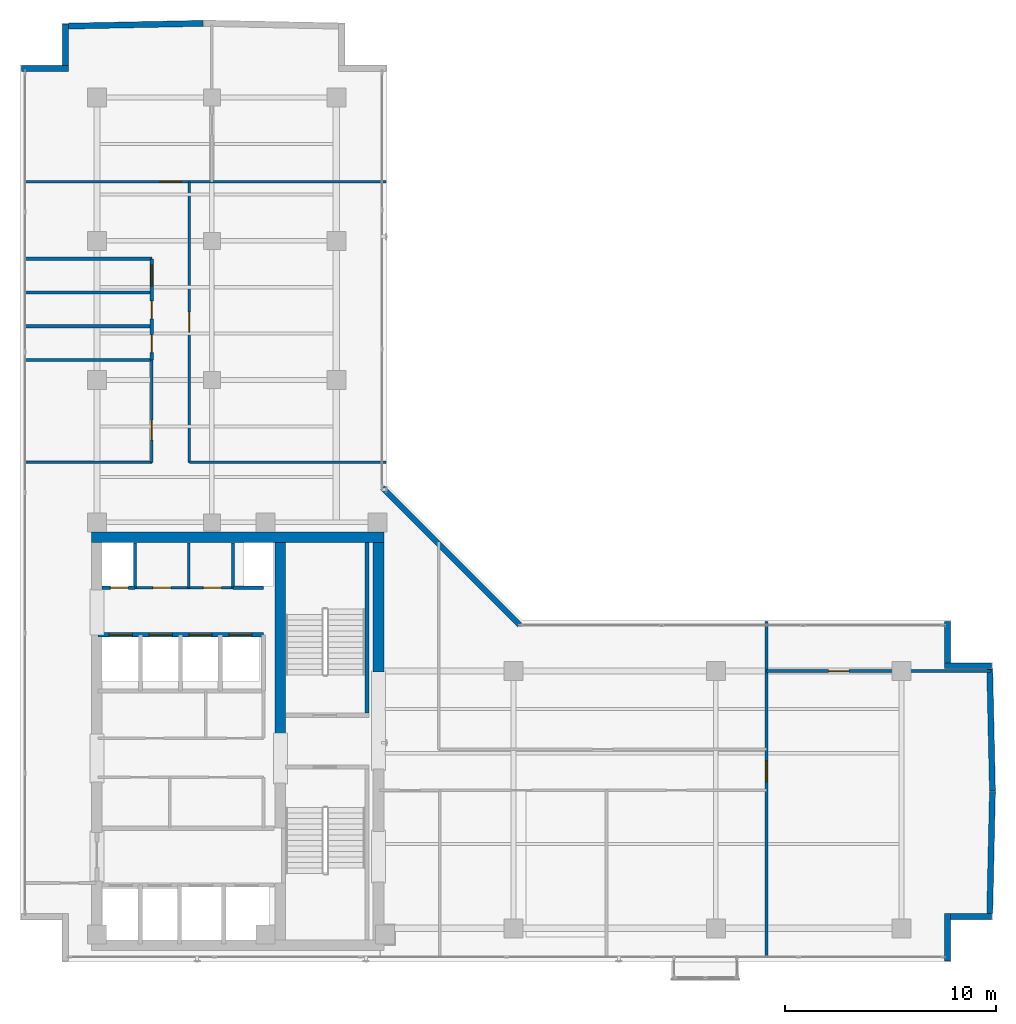
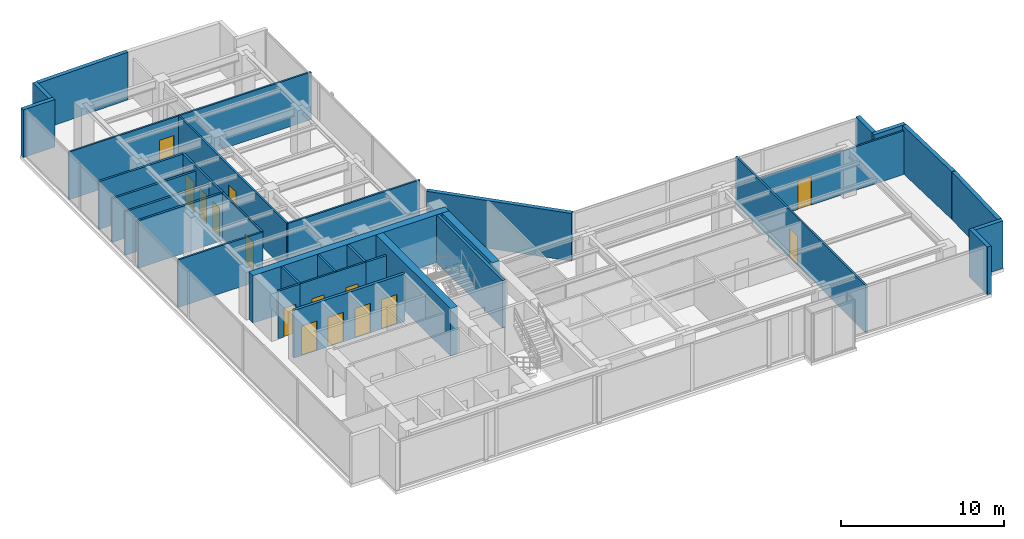
# One storey, part 18 of 24: 33 walls, 15 doors, 15 openings.
"""IFC4 building model written with IfcOpenShell, lengths in metres."""

import ifcopenshell
import ifcopenshell.guid

model = None  # the IFC model being written
_history = None  # IfcOwnerHistory: only IFC2X3 demands one
_inside = {}  # id of a spatial element -> (the spatial element, [elements in it])
_under = {}  # id of a project, library or spatial element -> (it, [spatial elements below it])
_declared = {}  # id of a project -> (the project, [libraries it declares])
_typed = {}  # id of a type object -> (the type object, [elements of that type])
_made_of = {}  # id of a material, layer set ... -> (it, [elements and type objects made of it])


def new_model(schema):
    """Start an empty IFC model of exactly this schema.

    Asked for "IFC4X3", IfcOpenShell would pick the latest addendum, in which some entities
    have other attributes; the version numbers below select the first issue.
    IFC2X3 requires an IfcOwnerHistory on every rooted entity: one is made here for all.
    """
    global model, _history
    if schema == "IFC4X3":
        model = ifcopenshell.file(schema_version=(4, 3, 0, 0))
    else:
        model = ifcopenshell.file(schema=schema)
    _inside.clear()
    _under.clear()
    _declared.clear()
    _typed.clear()
    _made_of.clear()
    _history = None
    if model.schema == "IFC2X3":
        org = make("IfcOrganization", Name="unknown")
        user = make(
            "IfcPersonAndOrganization",
            ThePerson=make("IfcPerson", FamilyName="unknown"),
            TheOrganization=org,
        )
        app = make(
            "IfcApplication",
            ApplicationDeveloper=org,
            Version="unknown",
            ApplicationFullName="unknown",
            ApplicationIdentifier="unknown",
        )
        _history = make(
            "IfcOwnerHistory",
            OwningUser=user,
            OwningApplication=app,
            ChangeAction="ADDED",
            CreationDate=0,
        )
    return model


def make(cls, **values):
    """One entity of the class cls with the attributes given. An attribute that is None is left unset."""
    return model.create_entity(
        cls, **{name: value for name, value in values.items() if value is not None}
    )


def rooted(cls, **values):
    """An entity with a GlobalId (a new one), such as an element, a storey or a relation."""
    return make(cls, GlobalId=ifcopenshell.guid.new(), OwnerHistory=_history, **values)


def si_unit(unit_type, name, prefix=None):
    """IfcSIUnit, for example si_unit("LENGTHUNIT", "METRE", prefix="MILLI")."""
    return make("IfcSIUnit", UnitType=unit_type, Prefix=prefix, Name=name)


def assignment(units):
    """IfcUnitAssignment: the units of a project."""
    return None if units is None else make("IfcUnitAssignment", Units=units)


def point(xyz):
    """IfcCartesianPoint."""
    return None if xyz is None else make("IfcCartesianPoint", Coordinates=xyz)


def direction(xyz):
    """IfcDirection."""
    return None if xyz is None else make("IfcDirection", DirectionRatios=xyz)


def frame(location, z_axis=None, x_axis=None):
    """IfcAxis2Placement3D, a coordinate frame: its origin and axes. An axis left out is left unset."""
    return make(
        "IfcAxis2Placement3D",
        Location=point(location),
        Axis=direction(z_axis),
        RefDirection=direction(x_axis),
    )


def frame_2d(location, x_axis=None):
    """IfcAxis2Placement2D, a coordinate frame in the plane: its origin and x axis."""
    return make(
        "IfcAxis2Placement2D", Location=point(location), RefDirection=direction(x_axis)
    )


def origin():
    """The frame at (0, 0, 0) with its axes left unset."""
    return frame((0.0, 0.0, 0.0))


def place(relative_to, where):
    """IfcLocalPlacement: puts the frame where relative to a parent placement (None: the world)."""
    return make(
        "IfcLocalPlacement", PlacementRelTo=relative_to, RelativePlacement=where
    )


def context(
    kind, dimensions, precision=None, world=None, true_north=None, identifier=None
):
    """IfcGeometricRepresentationContext, for example the 3D "Model" context."""
    return make(
        "IfcGeometricRepresentationContext",
        ContextIdentifier=identifier,
        ContextType=kind,
        CoordinateSpaceDimension=dimensions,
        Precision=precision,
        WorldCoordinateSystem=world,
        TrueNorth=true_north,
    )


def subcontext(parent, identifier, kind, view, scale=None):
    """IfcGeometricRepresentationSubContext, for example "Body" below "Model"."""
    return make(
        "IfcGeometricRepresentationSubContext",
        ContextIdentifier=identifier,
        ContextType=kind,
        ParentContext=parent,
        TargetScale=scale,
        TargetView=view,
    )


def project(units=None, contexts=None):
    """IfcProject with its units and contexts."""
    return rooted(
        "IfcProject",
        Name="project",
        RepresentationContexts=contexts,
        UnitsInContext=assignment(units),
    )


def spatial(cls, under=None, at=None, **own):
    """A site, building, storey or space (cls), placed at a placement, below another one or the project."""
    s = rooted(cls, ObjectPlacement=at, **own)
    if under is not None:
        _under.setdefault(under.id(), (under, []))[1].append(s)
    return s


def profile(cls, at=None, kind="AREA", **sizes):
    """A parametric profile (cls). Its sizes go by their IFC names, for example OverallWidth=200.0."""
    return make(cls, ProfileType=kind, Position=at, **sizes)


def rectangle(**sizes):
    """IfcRectangleProfileDef."""
    return profile("IfcRectangleProfileDef", **sizes)


def extrude(swept, where, along, depth):
    """IfcExtrudedAreaSolid: the profile swept, set in the frame where, extruded along a direction by depth."""
    return make(
        "IfcExtrudedAreaSolid",
        SweptArea=swept,
        Position=where,
        ExtrudedDirection=direction(along),
        Depth=depth,
    )


def shape(context_of_items, identifier, shape_type, items):
    """IfcShapeRepresentation: the items that make up one representation, for example the "Body"."""
    return make(
        "IfcShapeRepresentation",
        ContextOfItems=context_of_items,
        RepresentationIdentifier=identifier,
        RepresentationType=shape_type,
        Items=items,
    )


def material(Name=None, Category=None):
    """IfcMaterial."""
    return make("IfcMaterial", Name=Name, Category=Category)


def layer(
    of_material, thickness, ventilated=None, Name=None, Category=None, Priority=None
):
    """IfcMaterialLayer: one layer of a wall or slab, of a material (None: an air gap)."""
    return make(
        "IfcMaterialLayer",
        Material=of_material,
        LayerThickness=thickness,
        IsVentilated=ventilated,
        Name=Name,
        Category=Category,
        Priority=Priority,
    )


def layer_set(layers, Name=None):
    """IfcMaterialLayerSet."""
    return make("IfcMaterialLayerSet", MaterialLayers=layers, LayerSetName=Name)


def made_of(thing, what):
    """Note that an element or type object is made of a material, layer set ...; save() writes the relation."""
    if what is not None:
        _made_of.setdefault(what.id(), (what, []))[1].append(thing)
    return thing


def type_object(cls, material=None, **own):
    """A type object (cls), such as IfcWallType, which elements share."""
    return made_of(rooted(cls, **own), material)


def element(
    cls,
    number,
    at=None,
    inside=None,
    cuts=None,
    type_object=None,
    material=None,
    context=None,
    identifier="Body",
    shape_type=None,
    held_by="IfcProductDefinitionShape",
    body=None,
    shapes=None,
    **own,
):
    """One element of the class cls, such as IfcWall. Its Tag is "e" and its number.

    at: its placement. inside: the storey or other place that contains it. cuts: it is an
    opening in that element (IfcRelVoidsElement). A single representation is given by context,
    identifier, shape_type and body (its items); several are given by shapes. held_by: the class
    of the entity that holds the representations. save() writes the other relations.
    """
    e = rooted(cls, Tag="e%d" % number, ObjectPlacement=at, **own)
    if body is not None:
        shapes = [shape(context, identifier, shape_type, body)]
    if shapes is not None:
        e.Representation = make(held_by, Representations=shapes)
    if inside is not None:
        _inside.setdefault(inside.id(), (inside, []))[1].append(e)
    if cuts is not None:
        rooted(
            "IfcRelVoidsElement", RelatingBuildingElement=cuts, RelatedOpeningElement=e
        )
    if type_object is not None:
        _typed.setdefault(type_object.id(), (type_object, []))[1].append(e)
    return made_of(e, material)


def fill(opening, filler):
    """IfcRelFillsElement: the door or window that sits in an opening."""
    return rooted(
        "IfcRelFillsElement",
        RelatingOpeningElement=opening,
        RelatedBuildingElement=filler,
    )


def aggregate(whole, parts):
    """IfcRelAggregates: a whole, such as a stair, and the parts it consists of."""
    return rooted("IfcRelAggregates", RelatingObject=whole, RelatedObjects=parts)


def save(model, path):
    """Write the relations noted so far, then the file.

    IfcRelAggregates (storeys below a building ...), IfcRelContainedInSpatialStructure (elements
    in a storey), IfcRelDefinesByType, IfcRelAssociatesMaterial and IfcRelDeclares: one each for
    every whole, place, type object, material and project.
    """
    for whole, parts in _under.values():
        aggregate(whole, parts)
    for where, things in _inside.values():
        rooted(
            "IfcRelContainedInSpatialStructure",
            RelatedElements=things,
            RelatingStructure=where,
        )
    for kind, things in _typed.values():
        rooted("IfcRelDefinesByType", RelatedObjects=things, RelatingType=kind)
    for what, things in _made_of.values():
        rooted("IfcRelAssociatesMaterial", RelatedObjects=things, RelatingMaterial=what)
    for by, libraries in _declared.values():
        rooted("IfcRelDeclares", RelatingContext=by, RelatedDefinitions=libraries)
    model.write(path)


model = new_model("IFC4")

# Units and contexts
model_context = context("Model", 3, precision=1e-05, world=origin(), true_north=direction((0.0, 1.0)))
body_context = subcontext(model_context, "Body", "Model", "MODEL_VIEW")
ifc_project = project(units=[si_unit("LENGTHUNIT", "METRE"), si_unit("AREAUNIT", "SQUARE_METRE"), si_unit("VOLUMEUNIT", "CUBIC_METRE"), si_unit("PLANEANGLEUNIT", "RADIAN"), si_unit("MASSUNIT", "GRAM", prefix="KILO")], contexts=[model_context])

# Site, building, storey
site_placement = place(None, origin())
site = spatial("IfcSite", under=ifc_project, at=site_placement, CompositionType="ELEMENT")
building_placement = place(site_placement, origin())
building = spatial("IfcBuilding", under=site, at=building_placement, Name="Kolvaren Waterfront Exchange", CompositionType="ELEMENT")
storey_placement = place(building_placement, frame((0.0, 0.0, 331.199951171875)))
storey = spatial("IfcBuildingStorey", under=building, at=storey_placement, Name="L85", CompositionType="ELEMENT", Elevation=331.199951171875)

# Walls
ifc_material_1 = material(Name="Precast concrete C40/50", Category="concrete")
ifc_layer_1 = layer(ifc_material_1, 0.280029296875, Name="Precast concrete C40/50")
ifc_layer_set_1 = layer_set([ifc_layer_1], Name="Precast concrete C40/50")
wall_type_1 = type_object("IfcWallType", Name="ARC-EXT-TERR-280", PredefinedType="SOLIDWALL", material=ifc_layer_set_1)
wall_1_placement = place(storey_placement, frame((47.77685546875, 3.659912109375, 0.0), z_axis=(0.0, 0.0, 1.0), x_axis=(0.0, 1.0, 0.0)))
element("IfcWall", 1, at=wall_1_placement, inside=storey, type_object=wall_type_1, Name="L85 notched corner spandrel pier SE-A", PredefinedType="SOLIDWALL", context=body_context, shape_type="SweptSolid", body=[
    extrude(rectangle(XDim=2.239990234375, YDim=0.280029296875, at=frame_2d((1.1201171875, 0.0))), origin(), (0.0, 0.0, 1.0), 3.56005859375),
])
wall_2_placement = place(storey_placement, frame((47.916748046875, 5.760009765625, 0.0), z_axis=(0.0, 0.0, 1.0), x_axis=(1.0, 0.0, 0.0)))
element("IfcWall", 2, at=wall_2_placement, inside=storey, type_object=wall_type_1, Name="L85 notched corner spandrel pier SE-B", PredefinedType="SOLIDWALL", context=body_context, shape_type="SweptSolid", body=[
    extrude(rectangle(XDim=1.9599609375, YDim=0.280029296875, at=frame_2d((0.97998046875, 0.0))), origin(), (0.0, 0.0, 1.0), 3.56005859375),
])
wall_3_placement = place(storey_placement, frame((47.77685546875, 17.775390625, 0.0), z_axis=(0.0, 0.0, 1.0), x_axis=(0.0, 1.0, 0.0)))
element("IfcWall", 3, at=wall_3_placement, inside=storey, type_object=wall_type_1, Name="L85 notched corner spandrel pier ENE-A", PredefinedType="SOLIDWALL", context=body_context, shape_type="SweptSolid", body=[
    extrude(rectangle(XDim=1.97509765625, YDim=0.280029296875, at=frame_2d((0.987548828125, 0.0))), origin(), (0.0, 0.0, 1.0), 3.56005859375),
])
for number, where, z_axis, x_axis, name in (
    (4, (47.63671875, 17.650390625, 0.0), (0.0, 0.0, 1.0), (1.0, 0.0, 0.0), "L85 notched corner spandrel pier ENE-B"),
    (5, (3.860107421875, 45.976806640625, 0.0), (0.0, 0.0, 1.0), (1.0, 0.0, 0.0), "L85 notched corner spandrel pier NW-A"),
):
    element("IfcWall", number, at=place(storey_placement, frame(where, z_axis=z_axis, x_axis=x_axis)), inside=storey, type_object=wall_type_1, Name=name, PredefinedType="SOLIDWALL", context=body_context, shape_type="SweptSolid", body=[
        extrude(rectangle(XDim=2.239990234375, YDim=0.280029296875, at=frame_2d((1.1201171875, 0.0))), origin(), (0.0, 0.0, 1.0), 3.56005859375),
    ])
wall_4_placement = place(storey_placement, frame((5.9599609375, 46.11669921875, 0.0), z_axis=(0.0, 0.0, 1.0), x_axis=(0.0, 1.0, 0.0)))
element("IfcWall", 6, at=wall_4_placement, inside=storey, type_object=wall_type_1, Name="L85 notched corner spandrel pier NW-B", PredefinedType="SOLIDWALL", context=body_context, shape_type="SweptSolid", body=[
    extrude(rectangle(XDim=1.960205078125, YDim=0.280029296875, at=frame_2d((0.97998046875, 0.0))), origin(), (0.0, 0.0, 1.0), 3.56005859375),
])
wall_5_placement = place(storey_placement, frame((27.49560546875, 19.58544921875, 0.0), z_axis=(0.0, 0.0, 1.0), x_axis=(-0.707106781187, 0.707106781187, 0.0)))
element("IfcWall", 7, at=wall_5_placement, inside=storey, type_object=wall_type_1, Name="L85 notched corner spandrel pier ELBOW", PredefinedType="SOLIDWALL", context=body_context, shape_type="SweptSolid", body=[
    extrude(rectangle(XDim=9.20654296875, YDim=0.280029296875, at=frame_2d((4.603271484375, 0.0))), origin(), (0.0, 0.0, 1.0), 3.56005859375),
])
wall_6_placement = place(storey_placement, frame((49.78369140625, 5.903564453125, 0.0), z_axis=(0.0, 0.0, 1.0), x_axis=(0.022361051613, 0.999749960425, 0.0)))
element("IfcWall", 8, at=wall_6_placement, inside=storey, type_object=wall_type_1, Name="L85 east prow faceted facade wall 1", PredefinedType="SOLIDWALL", context=body_context, shape_type="SweptSolid", body=[
    extrude(rectangle(XDim=5.78662109375, YDim=0.280029296875, at=frame_2d((2.893310546875, 0.0))), origin(), (0.0, 0.0, 1.0), 3.56005859375),
])
wall_7_placement = place(storey_placement, frame((49.9130859375, 11.7216796875, 0.0), z_axis=(0.0, 0.0, 1.0), x_axis=(-0.022360108461, 0.99974998152, 0.0)))
element("IfcWall", 9, at=wall_7_placement, inside=storey, type_object=wall_type_1, Name="L85 east prow faceted facade wall 2", PredefinedType="SOLIDWALL", context=body_context, shape_type="SweptSolid", body=[
    extrude(rectangle(XDim=5.786865234375, YDim=0.280029296875, at=frame_2d((2.8935546875, 0.0))), origin(), (0.0, 0.0, 1.0), 3.56005859375),
])
wall_8_placement = place(storey_placement, frame((12.488525390625, 48.11328125, 0.0), z_axis=(0.0, 0.0, 1.0), x_axis=(-0.999791627443, -0.020413272503, 0.0)))
element("IfcWall", 10, at=wall_8_placement, inside=storey, type_object=wall_type_1, Name="L85 north prow faceted facade wall 2", PredefinedType="SOLIDWALL", context=body_context, shape_type="SweptSolid", body=[
    extrude(rectangle(XDim=6.386474609375, YDim=0.280029296875, at=frame_2d((3.193359375, 0.0))), origin(), (0.0, 0.0, 1.0), 3.56005859375),
])

# Wall, openings, doors
ifc_material_2 = material(Name="Acoustic gypsum steel stud", Category="steel")
ifc_layer_2 = layer(ifc_material_2, 0.125, Name="Acoustic gypsum steel stud")
ifc_layer_set_2 = layer_set([ifc_layer_2], Name="Acoustic gypsum steel stud")
wall_type_2 = type_object("IfcWallType", Name="ARC-PART-125", PredefinedType="PARTITIONING", material=ifc_layer_set_2)
wall_9_placement = place(storey_placement, frame((9.25, 21.35009765625, 0.0), z_axis=(0.0, 0.0, 1.0), x_axis=(1.0, 0.0, 0.0)))
wall_9 = element("IfcWall", 11, at=wall_9_placement, inside=storey, type_object=wall_type_2, Name="L85 interior wall PW-L85-SVC-HI-S", PredefinedType="PARTITIONING", context=body_context, shape_type="SweptSolid", body=[
    extrude(rectangle(XDim=4.64990234375, YDim=0.125, at=frame_2d((2.324951171875, 0.0))), origin(), (0.0, 0.0, 1.0), 3.56005859375),
])
opening_1_placement = place(wall_9_placement, frame((0.85009765625, 0.0, 0.0)))
opening_1 = element("IfcOpeningElement", 12, at=opening_1_placement, cuts=wall_9, Name="Opening D01", PredefinedType="OPENING", context=body_context, shape_type="SweptSolid", body=[
    extrude(rectangle(XDim=0.85009765625, YDim=2.14990234375, at=frame_2d((0.425048828125, 1.074951171875))), frame((0.0, 0.072509765625, 0.0), z_axis=(0.0, -1.0, 0.0), x_axis=(1.0, 0.0, 0.0)), (0.0, 0.0, 1.0), 0.14501953125),
])
opening_2_placement = place(wall_9_placement, frame((3.25, 0.0, 0.0)))
opening_2 = element("IfcOpeningElement", 13, at=opening_2_placement, cuts=wall_9, Name="Opening D01", PredefinedType="OPENING", context=body_context, shape_type="SweptSolid", body=[
    extrude(rectangle(XDim=0.85009765625, YDim=2.14990234375, at=frame_2d((0.425048828125, 1.074951171875))), frame((0.0, 0.072509765625, 0.0), z_axis=(0.0, -1.0, 0.0), x_axis=(1.0, 0.0, 0.0)), (0.0, 0.0, 1.0), 0.14501953125),
])
ifc_material_3 = material(Name="Oak veneer timber leaf", Category="wood")
door_type_1 = type_object("IfcDoorType", Name="ARC-DR-900", OperationType="NOTDEFINED", PredefinedType="DOOR", material=ifc_material_3)
door_1_placement = place(opening_1_placement, origin())
door_1 = element("IfcDoor", 14, at=door_1_placement, inside=storey, type_object=door_type_1, Name="L85 door DR-L85-SVC-DR-1 (D01)", OperationType="SINGLE_SWING_RIGHT", OverallHeight=2.14990234375, OverallWidth=0.85009765625, PredefinedType="DOOR", context=body_context, shape_type="SweptSolid", body=[
    extrude(rectangle(XDim=0.85009765625, YDim=2.14990234375, at=frame_2d((0.425048828125, 1.074951171875))), frame((0.0, 0.02490234375, 0.0), z_axis=(0.0, -1.0, 0.0), x_axis=(1.0, 0.0, 0.0)), (0.0, 0.0, 1.0), 0.050048828125),
])
fill(opening_1, door_1)
door_2_placement = place(opening_2_placement, origin())
door_2 = element("IfcDoor", 15, at=door_2_placement, inside=storey, type_object=door_type_1, Name="L85 door DR-L85-SVC-DR-2 (D01)", OperationType="SINGLE_SWING_LEFT", OverallHeight=2.14990234375, OverallWidth=0.85009765625, PredefinedType="DOOR", context=body_context, shape_type="SweptSolid", body=[
    extrude(rectangle(XDim=0.85009765625, YDim=2.14990234375, at=frame_2d((0.425048828125, 1.074951171875))), frame((0.0, 0.02490234375, 0.0), z_axis=(0.0, -1.0, 0.0), x_axis=(1.0, 0.0, 0.0)), (0.0, 0.0, 1.0), 0.050048828125),
])
fill(opening_2, door_2)

# Wall
wall_10_placement = place(storey_placement, frame((11.800048828125, 21.35009765625, 0.0), z_axis=(0.0, 0.0, 1.0), x_axis=(0.0, 1.0, 0.0)))
element("IfcWall", 16, at=wall_10_placement, inside=storey, type_object=wall_type_2, Name="L85 interior wall PW-L85-SVC-HI-M", PredefinedType="PARTITIONING", context=body_context, shape_type="SweptSolid", body=[
    extrude(rectangle(XDim=2.1298828125, YDim=0.125, at=frame_2d((1.06494140625, 0.0))), origin(), (0.0, 0.0, 1.0), 3.56005859375),
])

# Wall, opening, door
wall_11_placement = place(storey_placement, frame((10.050048828125, 27.300048828125, 0.0), z_axis=(0.0, 0.0, 1.0), x_axis=(0.0, 1.0, 0.0)))
wall_11 = element("IfcWall", 17, at=wall_11_placement, inside=storey, type_object=wall_type_2, Name="L85 interior wall PW-L85-PREWC-E", PredefinedType="PARTITIONING", context=body_context, shape_type="SweptSolid", body=[
    extrude(rectangle(XDim=4.849853515625, YDim=0.125, at=frame_2d((2.4248046875, 0.0))), origin(), (0.0, 0.0, 1.0), 3.56005859375),
])
opening_3_placement = place(wall_11_placement, frame((1.050048828125, 0.0, 0.0)))
opening_3 = element("IfcOpeningElement", 18, at=opening_3_placement, cuts=wall_11, Name="Opening D02", PredefinedType="OPENING", context=body_context, shape_type="SweptSolid", body=[
    extrude(rectangle(XDim=0.949951171875, YDim=2.14990234375, at=frame_2d((0.47509765625, 1.074951171875))), frame((0.0, 0.072509765625, 0.0), z_axis=(0.0, -1.0, 0.0), x_axis=(1.0, 0.0, 0.0)), (0.0, 0.0, 1.0), 0.14501953125),
])
ifc_material_4 = material(Name="Oak veneer acoustic timber", Category="wood")
door_type_2 = type_object("IfcDoorType", Name="ARC-DR-950", OperationType="NOTDEFINED", PredefinedType="DOOR", material=ifc_material_4)
door_3_placement = place(opening_3_placement, origin())
door_3 = element("IfcDoor", 19, at=door_3_placement, inside=storey, type_object=door_type_2, Name="L85 door DR-L85-PREWC-D (D02)", OperationType="SINGLE_SWING_RIGHT", OverallHeight=2.14990234375, OverallWidth=0.949951171875, PredefinedType="DOOR", context=body_context, shape_type="SweptSolid", body=[
    extrude(rectangle(XDim=0.949951171875, YDim=2.14990234375, at=frame_2d((0.47509765625, 1.074951171875))), frame((0.0, 0.02490234375, 0.0), z_axis=(0.0, -1.0, 0.0), x_axis=(1.0, 0.0, 0.0)), (0.0, 0.0, 1.0), 0.050048828125),
])
fill(opening_3, door_3)

# Wall
wall_12_placement = place(storey_placement, frame((4.0400390625, 27.300048828125, 0.0), z_axis=(0.0, 0.0, 1.0), x_axis=(1.0, 0.0, 0.0)))
element("IfcWall", 20, at=wall_12_placement, inside=storey, type_object=wall_type_2, Name="L85 interior wall PW-L85-PREWC-S", PredefinedType="PARTITIONING", context=body_context, shape_type="SweptSolid", body=[
    extrude(rectangle(XDim=6.010009765625, YDim=0.125, at=frame_2d((3.0048828125, 0.0))), origin(), (0.0, 0.0, 1.0), 3.56005859375),
])

# Wall, opening, door
wall_13_placement = place(storey_placement, frame((39.199951171875, 3.840087890625, 0.0), z_axis=(0.0, 0.0, 1.0), x_axis=(0.0, 1.0, 0.0)))
wall_13 = element("IfcWall", 21, at=wall_13_placement, inside=storey, type_object=wall_type_2, Name="L85 interior wall PW-L85-ETIP-W", PredefinedType="PARTITIONING", context=body_context, shape_type="SweptSolid", body=[
    extrude(rectangle(XDim=15.919921875, YDim=0.125, at=frame_2d((7.9599609375, 0.0))), origin(), (0.0, 0.0, 1.0), 3.56005859375),
])
opening_4_placement = place(wall_13_placement, frame((8.31005859375, 0.0, 0.0)))
opening_4 = element("IfcOpeningElement", 22, at=opening_4_placement, cuts=wall_13, Name="Opening D03", PredefinedType="OPENING", context=body_context, shape_type="SweptSolid", body=[
    extrude(rectangle(XDim=1.0, YDim=2.199951171875, at=frame_2d((0.5, 1.10009765625))), frame((0.0, 0.072509765625, 0.0), z_axis=(0.0, -1.0, 0.0), x_axis=(1.0, 0.0, 0.0)), (0.0, 0.0, 1.0), 0.14501953125),
])
ifc_material_5 = material(Name="Oak veneer accessible timber", Category="wood")
door_type_3 = type_object("IfcDoorType", Name="ARC-DR-1000", OperationType="NOTDEFINED", PredefinedType="DOOR", material=ifc_material_5)
door_4_placement = place(opening_4_placement, origin())
door_4 = element("IfcDoor", 23, at=door_4_placement, inside=storey, type_object=door_type_3, Name="L85 door DR-L85-ETIP1-D (D03)", OperationType="SINGLE_SWING_RIGHT", OverallHeight=2.199951171875, OverallWidth=1.0, PredefinedType="DOOR", context=body_context, shape_type="SweptSolid", body=[
    extrude(rectangle(XDim=1.0, YDim=2.199951171875, at=frame_2d((0.5, 1.10009765625))), frame((0.0, 0.02490234375, 0.0), z_axis=(0.0, -1.0, 0.0), x_axis=(1.0, 0.0, 0.0)), (0.0, 0.0, 1.0), 0.050048828125),
])
fill(opening_4, door_4)

wall_14_placement = place(storey_placement, frame((39.199951171875, 17.39990234375, 0.0), z_axis=(0.0, 0.0, 1.0), x_axis=(1.0, 0.0, 0.0)))
wall_14 = element("IfcWall", 24, at=wall_14_placement, inside=storey, type_object=wall_type_2, Name="L85 interior wall PW-L85-ETIP-MID", PredefinedType="PARTITIONING", context=body_context, shape_type="SweptSolid", body=[
    extrude(rectangle(XDim=10.633544921875, YDim=0.125, at=frame_2d((5.31689453125, 0.0))), origin(), (0.0, 0.0, 1.0), 3.260009765625),
])
opening_5_placement = place(wall_14_placement, frame((2.949951171875, 0.0, 0.0)))
opening_5 = element("IfcOpeningElement", 25, at=opening_5_placement, cuts=wall_14, Name="Opening D02", PredefinedType="OPENING", context=body_context, shape_type="SweptSolid", body=[
    extrude(rectangle(XDim=0.949951171875, YDim=2.14990234375, at=frame_2d((0.47509765625, 1.074951171875))), frame((0.0, 0.072509765625, 0.0), z_axis=(0.0, -1.0, 0.0), x_axis=(1.0, 0.0, 0.0)), (0.0, 0.0, 1.0), 0.14501953125),
])
door_5_placement = place(opening_5_placement, origin())
door_5 = element("IfcDoor", 26, at=door_5_placement, inside=storey, type_object=door_type_2, Name="L85 door DR-L85-ETIP2-D (D02)", OperationType="SINGLE_SWING_LEFT", OverallHeight=2.14990234375, OverallWidth=0.949951171875, PredefinedType="DOOR", context=body_context, shape_type="SweptSolid", body=[
    extrude(rectangle(XDim=0.949951171875, YDim=2.14990234375, at=frame_2d((0.47509765625, 1.074951171875))), frame((0.0, 0.02490234375, 0.0), z_axis=(0.0, -1.0, 0.0), x_axis=(1.0, 0.0, 0.0)), (0.0, 0.0, 1.0), 0.050048828125),
])
fill(opening_5, door_5)

wall_15_placement = place(storey_placement, frame((4.0400390625, 40.60009765625, 0.0), z_axis=(0.0, 0.0, 1.0), x_axis=(1.0, 0.0, 0.0)))
wall_15 = element("IfcWall", 27, at=wall_15_placement, inside=storey, type_object=wall_type_2, Name="L85 interior wall PW-L85-NTIP-S", PredefinedType="PARTITIONING", context=body_context, shape_type="SweptSolid", body=[
    extrude(rectangle(XDim=17.119873046875, YDim=0.125, at=frame_2d((8.56005859375, 0.0))), origin(), (0.0, 0.0, 1.0), 3.56005859375),
])
opening_6_placement = place(wall_15_placement, frame((6.39990234375, 0.0, 0.0)))
opening_6 = element("IfcOpeningElement", 28, at=opening_6_placement, cuts=wall_15, Name="Opening D03", PredefinedType="OPENING", context=body_context, shape_type="SweptSolid", body=[
    extrude(rectangle(XDim=1.0, YDim=2.199951171875, at=frame_2d((0.5, 1.10009765625))), frame((0.0, 0.072509765625, 0.0), z_axis=(0.0, -1.0, 0.0), x_axis=(1.0, 0.0, 0.0)), (0.0, 0.0, 1.0), 0.14501953125),
])
door_6_placement = place(opening_6_placement, origin())
door_6 = element("IfcDoor", 29, at=door_6_placement, inside=storey, type_object=door_type_3, Name="L85 door DR-L85-NTIPW-D (D03)", OperationType="SINGLE_SWING_LEFT", OverallHeight=2.199951171875, OverallWidth=1.0, PredefinedType="DOOR", context=body_context, shape_type="SweptSolid", body=[
    extrude(rectangle(XDim=1.0, YDim=2.199951171875, at=frame_2d((0.5, 1.10009765625))), frame((0.0, 0.02490234375, 0.0), z_axis=(0.0, -1.0, 0.0), x_axis=(1.0, 0.0, 0.0)), (0.0, 0.0, 1.0), 0.050048828125),
])
fill(opening_6, door_6)

# Wall
wall_16_placement = place(storey_placement, frame((11.830078125, 27.300048828125, 0.0), z_axis=(0.0, 0.0, 1.0), x_axis=(1.0, 0.0, 0.0)))
element("IfcWall", 30, at=wall_16_placement, inside=storey, type_object=wall_type_2, Name="L85 interior wall PW-L85-NE-S0", PredefinedType="PARTITIONING", context=body_context, shape_type="SweptSolid", body=[
    extrude(rectangle(XDim=9.329833984375, YDim=0.125, at=frame_2d((4.6650390625, 0.0))), origin(), (0.0, 0.0, 1.0), 3.56005859375),
])

# Wall, opening, door
wall_17_placement = place(storey_placement, frame((11.830078125, 27.300048828125, 0.0), z_axis=(0.0, 0.0, 1.0), x_axis=(0.0, 1.0, 0.0)))
wall_17 = element("IfcWall", 31, at=wall_17_placement, inside=storey, type_object=wall_type_2, Name="L85 interior wall PW-L85-NE-CORR", PredefinedType="PARTITIONING", context=body_context, shape_type="SweptSolid", body=[
    extrude(rectangle(XDim=13.300048828125, YDim=0.125, at=frame_2d((6.64990234375, 0.0))), origin(), (0.0, 0.0, 1.0), 3.56005859375),
])
opening_7_placement = place(wall_17_placement, frame((6.175048828125, 0.0, 0.0)))
opening_7 = element("IfcOpeningElement", 32, at=opening_7_placement, cuts=wall_17, Name="Opening D02", PredefinedType="OPENING", context=body_context, shape_type="SweptSolid", body=[
    extrude(rectangle(XDim=0.949951171875, YDim=2.14990234375, at=frame_2d((0.47509765625, 1.074951171875))), frame((0.0, 0.072509765625, 0.0), z_axis=(0.0, -1.0, 0.0), x_axis=(1.0, 0.0, 0.0)), (0.0, 0.0, 1.0), 0.14501953125),
])
door_7_placement = place(opening_7_placement, origin())
door_7 = element("IfcDoor", 33, at=door_7_placement, inside=storey, type_object=door_type_2, Name="L85 door DR-L85-NE-D-1 (D02)", OperationType="SINGLE_SWING_LEFT", OverallHeight=2.14990234375, OverallWidth=0.949951171875, PredefinedType="DOOR", context=body_context, shape_type="SweptSolid", body=[
    extrude(rectangle(XDim=0.949951171875, YDim=2.14990234375, at=frame_2d((0.47509765625, 1.074951171875))), frame((0.0, 0.02490234375, 0.0), z_axis=(0.0, -1.0, 0.0), x_axis=(1.0, 0.0, 0.0)), (0.0, 0.0, 1.0), 0.050048828125),
])
fill(opening_7, door_7)

# Walls
ifc_material_6 = material(Name="Gypsum fireboard steel stud", Category="steel")
ifc_layer_3 = layer(ifc_material_6, 0.14990234375, Name="Gypsum fireboard steel stud")
ifc_layer_set_3 = layer_set([ifc_layer_3], Name="Gypsum fireboard steel stud")
wall_type_3 = type_object("IfcWallType", Name="ARC-PART-150", PredefinedType="PARTITIONING", material=ifc_layer_set_3)
for number, where, z_axis, x_axis, name in (
    (34, (9.25, 21.35009765625, 0.0), (0.0, 0.0, 1.0), (0.0, 1.0, 0.0), "L85 interior wall PW-L85-SVC-R1"),
    (35, (13.89990234375, 21.35009765625, 0.0), (0.0, 0.0, 1.0), (0.0, 1.0, 0.0), "L85 interior wall PW-L85-SVC-R2"),
):
    element("IfcWall", number, at=place(storey_placement, frame(where, z_axis=z_axis, x_axis=x_axis)), inside=storey, type_object=wall_type_3, Name=name, PredefinedType="PARTITIONING", context=body_context, shape_type="SweptSolid", body=[
        extrude(rectangle(XDim=2.1298828125, YDim=0.14990234375, at=frame_2d((1.06494140625, 0.0))), origin(), (0.0, 0.0, 1.0), 3.56005859375),
    ])

# Wall, opening, door
wall_18_placement = place(storey_placement, frame((7.699951171875, 21.35009765625, 0.0), z_axis=(0.0, 0.0, 1.0), x_axis=(1.0, 0.0, 0.0)))
wall_18 = element("IfcWall", 36, at=wall_18_placement, inside=storey, type_object=wall_type_3, Name="L85 interior wall PW-L85-SVC-RE-S", PredefinedType="PARTITIONING", context=body_context, shape_type="SweptSolid", body=[
    extrude(rectangle(XDim=1.550048828125, YDim=0.14990234375, at=frame_2d((0.77490234375, 0.0))), origin(), (0.0, 0.0, 1.0), 3.56005859375),
])
opening_8_placement = place(wall_18_placement, frame((0.389892578125, 0.0, 0.0)))
opening_8 = element("IfcOpeningElement", 37, at=opening_8_placement, cuts=wall_18, Name="Opening FD1", PredefinedType="OPENING", context=body_context, shape_type="SweptSolid", body=[
    extrude(rectangle(XDim=0.85009765625, YDim=2.14990234375, at=frame_2d((0.425048828125, 1.074951171875))), frame((0.0, 0.0849609375, 0.0), z_axis=(0.0, -1.0, 0.0), x_axis=(1.0, 0.0, 0.0)), (0.0, 0.0, 1.0), 0.169921875),
])
ifc_material_7 = material(Name="Pressed steel fire leaf", Category="steel")
door_type_4 = type_object("IfcDoorType", Name="ARC-FD-900", OperationType="NOTDEFINED", PredefinedType="DOOR", material=ifc_material_7)
door_8_placement = place(opening_8_placement, origin())
door_8 = element("IfcDoor", 38, at=door_8_placement, inside=storey, type_object=door_type_4, Name="L85 door DR-L85-RISER-E-DR (FD1)", OperationType="SINGLE_SWING_LEFT", OverallHeight=2.14990234375, OverallWidth=0.85009765625, PredefinedType="DOOR", context=body_context, shape_type="SweptSolid", body=[
    extrude(rectangle(XDim=0.85009765625, YDim=2.14990234375, at=frame_2d((0.425048828125, 1.074951171875))), frame((0.0, 0.02490234375, 0.0), z_axis=(0.0, -1.0, 0.0), x_axis=(1.0, 0.0, 0.0)), (0.0, 0.0, 1.0), 0.050048828125),
])
fill(opening_8, door_8)

# Walls
wall_19_placement = place(storey_placement, frame((13.89990234375, 21.35009765625, 0.0), z_axis=(0.0, 0.0, 1.0), x_axis=(1.0, 0.0, 0.0)))
element("IfcWall", 39, at=wall_19_placement, inside=storey, type_object=wall_type_3, Name="L85 interior wall PW-L85-SVC-RP-S", PredefinedType="PARTITIONING", context=body_context, shape_type="SweptSolid", body=[
    extrude(rectangle(XDim=1.4501953125, YDim=0.14990234375, at=frame_2d((0.72509765625, 0.0))), origin(), (0.0, 0.0, 1.0), 3.56005859375),
])
ifc_material_8 = material(Name="Moisture-resistant gypsum stud")
ifc_layer_4 = layer(ifc_material_8, 0.14990234375, Name="Moisture-resistant gypsum stud")
ifc_layer_set_4 = layer_set([ifc_layer_4], Name="Moisture-resistant gypsum stud")
wall_type_4 = type_object("IfcWallType", Name="ARC-PLUMB-150", PredefinedType="PLUMBINGWALL", material=ifc_layer_set_4)
wall_20_placement = place(storey_placement, frame((4.0400390625, 32.14990234375, 0.0), z_axis=(0.0, 0.0, 1.0), x_axis=(1.0, 0.0, 0.0)))
element("IfcWall", 40, at=wall_20_placement, inside=storey, type_object=wall_type_4, Name="L85 interior wall PW-L85-WC-0", PredefinedType="PLUMBINGWALL", context=body_context, shape_type="SweptSolid", body=[
    extrude(rectangle(XDim=6.010009765625, YDim=0.14990234375, at=frame_2d((3.0048828125, 0.0))), origin(), (0.0, 0.0, 1.0), 3.56005859375),
])

# Wall, openings, doors
wall_21_placement = place(storey_placement, frame((10.050048828125, 32.14990234375, 0.0), z_axis=(0.0, 0.0, 1.0), x_axis=(0.0, 1.0, 0.0)))
wall_21 = element("IfcWall", 41, at=wall_21_placement, inside=storey, type_object=wall_type_4, Name="L85 interior wall PW-L85-WC-E", PredefinedType="PLUMBINGWALL", context=body_context, shape_type="SweptSolid", body=[
    extrude(rectangle(XDim=4.800048828125, YDim=0.14990234375, at=frame_2d((2.39990234375, 0.0))), origin(), (0.0, 0.0, 1.0), 3.56005859375),
])
opening_9_placement = place(wall_21_placement, frame((0.35009765625, 0.0, 0.0)))
opening_9 = element("IfcOpeningElement", 42, at=opening_9_placement, cuts=wall_21, Name="Opening D01", PredefinedType="OPENING", context=body_context, shape_type="SweptSolid", body=[
    extrude(rectangle(XDim=0.85009765625, YDim=2.14990234375, at=frame_2d((0.425048828125, 1.074951171875))), frame((0.0, 0.0849609375, 0.0), z_axis=(0.0, -1.0, 0.0), x_axis=(1.0, 0.0, 0.0)), (0.0, 0.0, 1.0), 0.169921875),
])
opening_10_placement = place(wall_21_placement, frame((1.949951171875, 0.0, 0.0)))
opening_10 = element("IfcOpeningElement", 43, at=opening_10_placement, cuts=wall_21, Name="Opening D01", PredefinedType="OPENING", context=body_context, shape_type="SweptSolid", body=[
    extrude(rectangle(XDim=0.85009765625, YDim=2.14990234375, at=frame_2d((0.425048828125, 1.074951171875))), frame((0.0, 0.0849609375, 0.0), z_axis=(0.0, -1.0, 0.0), x_axis=(1.0, 0.0, 0.0)), (0.0, 0.0, 1.0), 0.169921875),
])
opening_11_placement = place(wall_21_placement, frame((3.5, 0.0, 0.0)))
opening_11 = element("IfcOpeningElement", 44, at=opening_11_placement, cuts=wall_21, Name="Opening D03", PredefinedType="OPENING", context=body_context, shape_type="SweptSolid", body=[
    extrude(rectangle(XDim=1.0, YDim=2.199951171875, at=frame_2d((0.5, 1.10009765625))), frame((0.0, 0.0849609375, 0.0), z_axis=(0.0, -1.0, 0.0), x_axis=(1.0, 0.0, 0.0)), (0.0, 0.0, 1.0), 0.169921875),
])
door_9_placement = place(opening_11_placement, origin())
door_9 = element("IfcDoor", 45, at=door_9_placement, inside=storey, type_object=door_type_3, Name="L85 door DR-L85-WCA-D (D03)", OperationType="SINGLE_SWING_LEFT", OverallHeight=2.199951171875, OverallWidth=1.0, PredefinedType="DOOR", context=body_context, shape_type="SweptSolid", body=[
    extrude(rectangle(XDim=1.0, YDim=2.199951171875, at=frame_2d((0.5, 1.10009765625))), frame((0.0, 0.02490234375, 0.0), z_axis=(0.0, -1.0, 0.0), x_axis=(1.0, 0.0, 0.0)), (0.0, 0.0, 1.0), 0.050048828125),
])
fill(opening_11, door_9)
door_10_placement = place(opening_9_placement, origin())
door_10 = element("IfcDoor", 46, at=door_10_placement, inside=storey, type_object=door_type_1, Name="L85 door DR-L85-WCM-D (D01)", OperationType="SINGLE_SWING_LEFT", OverallHeight=2.14990234375, OverallWidth=0.85009765625, PredefinedType="DOOR", context=body_context, shape_type="SweptSolid", body=[
    extrude(rectangle(XDim=0.85009765625, YDim=2.14990234375, at=frame_2d((0.425048828125, 1.074951171875))), frame((0.0, 0.02490234375, 0.0), z_axis=(0.0, -1.0, 0.0), x_axis=(1.0, 0.0, 0.0)), (0.0, 0.0, 1.0), 0.050048828125),
])
fill(opening_9, door_10)
door_11_placement = place(opening_10_placement, origin())
door_11 = element("IfcDoor", 47, at=door_11_placement, inside=storey, type_object=door_type_1, Name="L85 door DR-L85-WCF-D (D01)", OperationType="SINGLE_SWING_RIGHT", OverallHeight=2.14990234375, OverallWidth=0.85009765625, PredefinedType="DOOR", context=body_context, shape_type="SweptSolid", body=[
    extrude(rectangle(XDim=0.85009765625, YDim=2.14990234375, at=frame_2d((0.425048828125, 1.074951171875))), frame((0.0, 0.02490234375, 0.0), z_axis=(0.0, -1.0, 0.0), x_axis=(1.0, 0.0, 0.0)), (0.0, 0.0, 1.0), 0.050048828125),
])
fill(opening_10, door_11)

# Walls
for number, where, z_axis, x_axis, name in (
    (48, (4.0400390625, 33.75, 0.0), (0.0, 0.0, 1.0), (1.0, 0.0, 0.0), "L85 interior wall PW-L85-WC-1"),
    (49, (4.0400390625, 35.35009765625, 0.0), (0.0, 0.0, 1.0), (1.0, 0.0, 0.0), "L85 interior wall PW-L85-WC-2"),
):
    element("IfcWall", number, at=place(storey_placement, frame(where, z_axis=z_axis, x_axis=x_axis)), inside=storey, type_object=wall_type_4, Name=name, PredefinedType="PLUMBINGWALL", context=body_context, shape_type="SweptSolid", body=[
        extrude(rectangle(XDim=6.010009765625, YDim=0.14990234375, at=frame_2d((3.0048828125, 0.0))), origin(), (0.0, 0.0, 1.0), 3.260009765625),
    ])
wall_22_placement = place(storey_placement, frame((4.0400390625, 36.949951171875, 0.0), z_axis=(0.0, 0.0, 1.0), x_axis=(1.0, 0.0, 0.0)))
element("IfcWall", 50, at=wall_22_placement, inside=storey, type_object=wall_type_4, Name="L85 interior wall PW-L85-WC-3", PredefinedType="PLUMBINGWALL", context=body_context, shape_type="SweptSolid", body=[
    extrude(rectangle(XDim=6.010009765625, YDim=0.14990234375, at=frame_2d((3.0048828125, 0.0))), origin(), (0.0, 0.0, 1.0), 3.56005859375),
])
ifc_material_9 = material(Name="Concrete C40/50", Category="concrete")
ifc_layer_5 = layer(ifc_material_9, 0.199951171875, Name="Concrete C40/50")
ifc_layer_set_5 = layer_set([ifc_layer_5], Name="Concrete C40/50")
wall_type_5 = type_object("IfcWallType", Name="ARC-SHAFT-200", PredefinedType="PARTITIONING", material=ifc_layer_set_5)
wall_23_placement = place(storey_placement, frame((20.260009765625, 15.39990234375, 0.0), z_axis=(0.0, 0.0, 1.0), x_axis=(0.0, 1.0, 0.0)))
element("IfcWall", 51, at=wall_23_placement, inside=storey, type_object=wall_type_5, Name="L85 structural stairwell wall PW-L85-ST2-E", PredefinedType="SHEAR", context=body_context, shape_type="SweptSolid", body=[
    extrude(rectangle(XDim=8.090087890625, YDim=0.199951171875, at=frame_2d((4.044921875, 0.0))), origin(), (0.0, 0.0, 1.0), 3.56005859375),
])

# Wall, openings, doors
wall_24_placement = place(storey_placement, frame((7.5, 19.1201171875, 0.0), z_axis=(0.0, 0.0, 1.0), x_axis=(1.0, 0.0, 0.0)))
wall_24 = element("IfcWall", 52, at=wall_24_placement, inside=storey, type_object=wall_type_5, Name="L85 interior wall PW-L85-PH-N", PredefinedType="PARTITIONING", context=body_context, shape_type="SweptSolid", body=[
    extrude(rectangle(XDim=7.85009765625, YDim=0.199951171875, at=frame_2d((3.925048828125, 0.0))), origin(), (0.0, 0.0, 1.0), 3.56005859375),
])
opening_12_placement = place(wall_24_placement, frame((0.530029296875, 0.0, 0.0)))
opening_12 = element("IfcOpeningElement", 53, at=opening_12_placement, cuts=wall_24, Name="Opening LD2", PredefinedType="OPENING", context=body_context, shape_type="SweptSolid", body=[
    extrude(rectangle(XDim=1.10009765625, YDim=2.199951171875, at=frame_2d((0.550048828125, 1.10009765625))), frame((0.0, 0.10986328125, 0.0), z_axis=(0.0, -1.0, 0.0), x_axis=(1.0, 0.0, 0.0)), (0.0, 0.0, 1.0), 0.219970703125),
])
opening_13_placement = place(wall_24_placement, frame((2.419921875, 0.0, 0.0)))
opening_13 = element("IfcOpeningElement", 54, at=opening_13_placement, cuts=wall_24, Name="Opening LD2", PredefinedType="OPENING", context=body_context, shape_type="SweptSolid", body=[
    extrude(rectangle(XDim=1.10009765625, YDim=2.199951171875, at=frame_2d((0.550048828125, 1.10009765625))), frame((0.0, 0.10986328125, 0.0), z_axis=(0.0, -1.0, 0.0), x_axis=(1.0, 0.0, 0.0)), (0.0, 0.0, 1.0), 0.219970703125),
])
opening_14_placement = place(wall_24_placement, frame((4.31005859375, 0.0, 0.0)))
opening_14 = element("IfcOpeningElement", 55, at=opening_14_placement, cuts=wall_24, Name="Opening LD2", PredefinedType="OPENING", context=body_context, shape_type="SweptSolid", body=[
    extrude(rectangle(XDim=1.10009765625, YDim=2.199951171875, at=frame_2d((0.550048828125, 1.10009765625))), frame((0.0, 0.10986328125, 0.0), z_axis=(0.0, -1.0, 0.0), x_axis=(1.0, 0.0, 0.0)), (0.0, 0.0, 1.0), 0.219970703125),
])
opening_15_placement = place(wall_24_placement, frame((6.199951171875, 0.0, 0.0)))
opening_15 = element("IfcOpeningElement", 56, at=opening_15_placement, cuts=wall_24, Name="Opening LD2", PredefinedType="OPENING", context=body_context, shape_type="SweptSolid", body=[
    extrude(rectangle(XDim=1.10009765625, YDim=2.199951171875, at=frame_2d((0.550048828125, 1.10009765625))), frame((0.0, 0.10986328125, 0.0), z_axis=(0.0, -1.0, 0.0), x_axis=(1.0, 0.0, 0.0)), (0.0, 0.0, 1.0), 0.219970703125),
])
ifc_material_10 = material(Name="Brushed bronze sliding landing door", Category="aluminium")
door_type_5 = type_object("IfcDoorType", Name="ARC-LD-PAX", OperationType="SLIDING_TO_LEFT", PredefinedType="DOOR", material=ifc_material_10)
door_12_placement = place(opening_12_placement, origin())
door_12 = element("IfcDoor", 57, at=door_12_placement, inside=storey, type_object=door_type_5, Name="L85 door LD-L85-PH1 (LD2)", OperationType="SLIDING_TO_LEFT", OverallHeight=2.199951171875, OverallWidth=1.10009765625, PredefinedType="DOOR", context=body_context, shape_type="SweptSolid", body=[
    extrude(rectangle(XDim=1.10009765625, YDim=2.199951171875, at=frame_2d((0.550048828125, 1.10009765625))), frame((0.0, 0.02490234375, 0.0), z_axis=(0.0, -1.0, 0.0), x_axis=(1.0, 0.0, 0.0)), (0.0, 0.0, 1.0), 0.050048828125),
])
fill(opening_12, door_12)
door_13_placement = place(opening_13_placement, origin())
door_13 = element("IfcDoor", 58, at=door_13_placement, inside=storey, type_object=door_type_5, Name="L85 door LD-L85-PH2 (LD2)", OperationType="SLIDING_TO_LEFT", OverallHeight=2.199951171875, OverallWidth=1.10009765625, PredefinedType="DOOR", context=body_context, shape_type="SweptSolid", body=[
    extrude(rectangle(XDim=1.10009765625, YDim=2.199951171875, at=frame_2d((0.550048828125, 1.10009765625))), frame((0.0, 0.02490234375, 0.0), z_axis=(0.0, -1.0, 0.0), x_axis=(1.0, 0.0, 0.0)), (0.0, 0.0, 1.0), 0.050048828125),
])
fill(opening_13, door_13)
door_14_placement = place(opening_14_placement, origin())
door_14 = element("IfcDoor", 59, at=door_14_placement, inside=storey, type_object=door_type_5, Name="L85 door LD-L85-PH3 (LD2)", OperationType="SLIDING_TO_LEFT", OverallHeight=2.199951171875, OverallWidth=1.10009765625, PredefinedType="DOOR", context=body_context, shape_type="SweptSolid", body=[
    extrude(rectangle(XDim=1.10009765625, YDim=2.199951171875, at=frame_2d((0.550048828125, 1.10009765625))), frame((0.0, 0.02490234375, 0.0), z_axis=(0.0, -1.0, 0.0), x_axis=(1.0, 0.0, 0.0)), (0.0, 0.0, 1.0), 0.050048828125),
])
fill(opening_14, door_14)
door_15_placement = place(opening_15_placement, origin())
door_15 = element("IfcDoor", 60, at=door_15_placement, inside=storey, type_object=door_type_5, Name="L85 door LD-L85-PH4 (LD2)", OperationType="SLIDING_TO_LEFT", OverallHeight=2.199951171875, OverallWidth=1.10009765625, PredefinedType="DOOR", context=body_context, shape_type="SweptSolid", body=[
    extrude(rectangle(XDim=1.10009765625, YDim=2.199951171875, at=frame_2d((0.550048828125, 1.10009765625))), frame((0.0, 0.02490234375, 0.0), z_axis=(0.0, -1.0, 0.0), x_axis=(1.0, 0.0, 0.0)), (0.0, 0.0, 1.0), 0.050048828125),
])
fill(opening_15, door_15)

# Walls
ifc_material_11 = material(Name="Concrete C50/60", Category="concrete")
ifc_layer_6 = layer(ifc_material_11, 0.5, Name="Concrete C50/60")
ifc_layer_set_6 = layer_set([ifc_layer_6], Name="Concrete C50/60")
wall_type_6 = type_object("IfcWallType", Name="STR-CWALL-500", PredefinedType="SHEAR", material=ifc_layer_set_6)
wall_25_placement = place(storey_placement, frame((7.199951171875, 23.75, 0.0), z_axis=(0.0, 0.0, 1.0), x_axis=(1.0, 0.0, 0.0)))
element("IfcWall", 61, at=wall_25_placement, inside=storey, type_object=wall_type_6, Name="L85 rear-core shear wall N", PredefinedType="SHEAR", context=body_context, shape_type="SweptSolid", body=[
    extrude(rectangle(XDim=13.85009765625, YDim=0.5, at=frame_2d((6.925048828125, 0.0))), origin(), (0.0, 0.0, 1.0), 3.56005859375),
])
wall_26_placement = place(storey_placement, frame((20.800048828125, 17.35009765625, 0.0), z_axis=(0.0, 0.0, 1.0), x_axis=(0.0, 1.0, 0.0)))
element("IfcWall", 62, at=wall_26_placement, inside=storey, type_object=wall_type_6, Name="L85 rear-core shear wall E3", PredefinedType="SHEAR", context=body_context, shape_type="SweptSolid", body=[
    extrude(rectangle(XDim=6.14990234375, YDim=0.5, at=frame_2d((3.074951171875, 0.0))), origin(), (0.0, 0.0, 1.0), 3.56005859375),
])
wall_27_placement = place(storey_placement, frame((16.14990234375, 14.39990234375, 0.0), z_axis=(0.0, 0.0, 1.0), x_axis=(0.0, 1.0, 0.0)))
element("IfcWall", 63, at=wall_27_placement, inside=storey, type_object=wall_type_6, Name="L85 rear-core shear wall M3", PredefinedType="SHEAR", context=body_context, shape_type="SweptSolid", body=[
    extrude(rectangle(XDim=9.10009765625, YDim=0.5, at=frame_2d((4.550048828125, 0.0))), origin(), (0.0, 0.0, 1.0), 3.56005859375),
])

save(model, "model.ifc")
